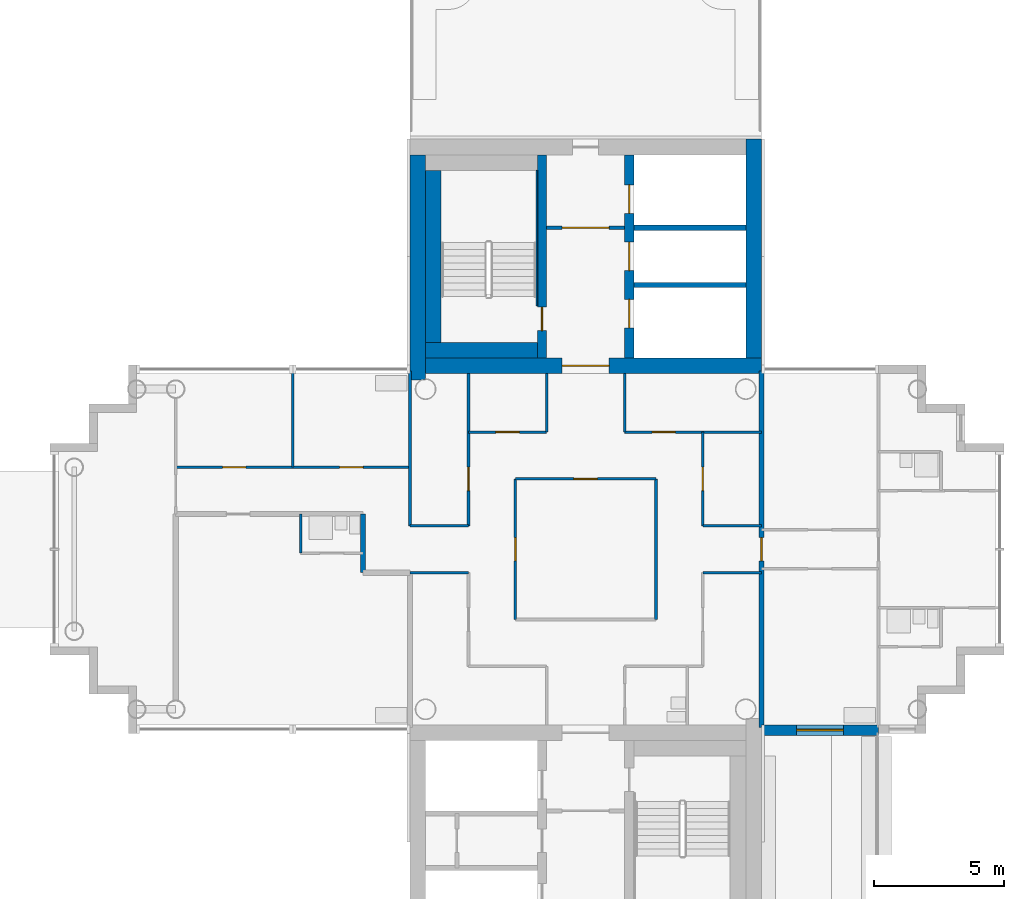
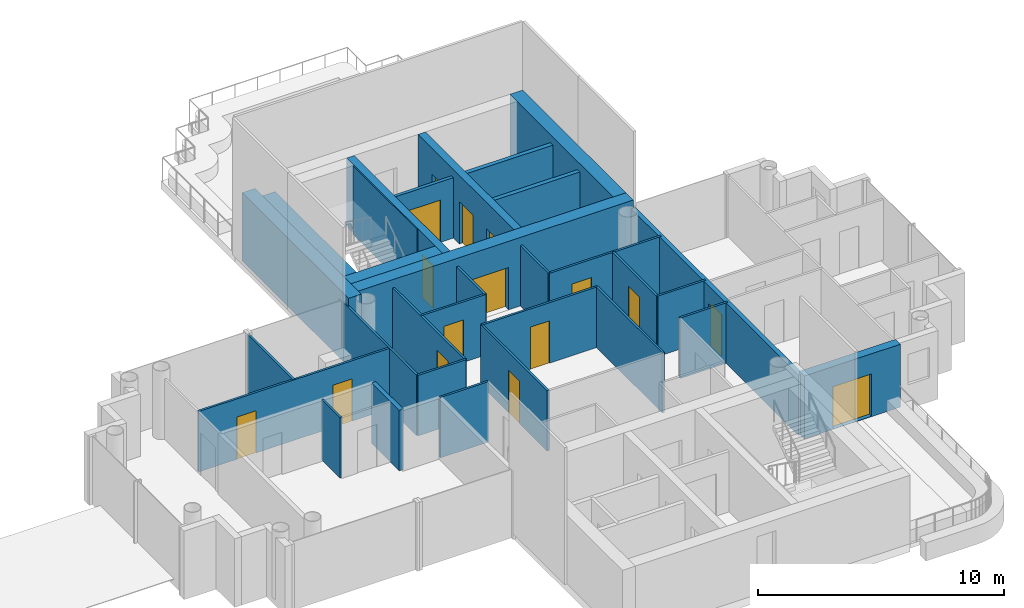
# One storey, part 11 of 19: 31 walls, 16 doors, 16 openings.
"""IFC4 building model written with IfcOpenShell, lengths in metres."""

from ifc_helpers import new_model, si_unit, direction, frame, frame_2d, origin, place, context, subcontext, project, spatial, rectangle, extrude, material, layer, layer_set, type_object, element, fill, save


model = new_model("IFC4")

# Units and contexts
model_context = context("Model", 3, precision=1e-05, world=origin(), true_north=direction((0.0, 1.0)))
body_context = subcontext(model_context, "Body", "Model", "MODEL_VIEW")
ifc_project = project(units=[si_unit("LENGTHUNIT", "METRE"), si_unit("AREAUNIT", "SQUARE_METRE"), si_unit("VOLUMEUNIT", "CUBIC_METRE"), si_unit("PLANEANGLEUNIT", "RADIAN"), si_unit("MASSUNIT", "GRAM", prefix="KILO")], contexts=[model_context])

# Site, building, storey
site_placement = place(None, origin())
site = spatial("IfcSite", under=ifc_project, at=site_placement, CompositionType="ELEMENT")
building_placement = place(site_placement, origin())
building = spatial("IfcBuilding", under=site, at=building_placement, Name="Ipe Terrace Towers", CompositionType="ELEMENT")
storey_placement = place(building_placement, frame((0.0, 0.0, 185.800048828125)))
storey = spatial("IfcBuildingStorey", under=building, at=storey_placement, Name="L51", CompositionType="ELEMENT", Elevation=185.800048828125)

# Wall, opening, door
ifc_material_1 = material(Name="Concrete C40/50 with buff precast cladding", Category="concrete")
ifc_layer_1 = layer(ifc_material_1, 0.39990234375)
ifc_layer_set_1 = layer_set([ifc_layer_1], Name="BALCONY BAY WALL 400")
wall_type_1 = type_object("IfcWallType", Name="BALCONY BAY WALL 400", PredefinedType="STANDARD", material=ifc_layer_set_1)
wall_1_placement = place(storey_placement, frame((42.75, -6.949951171875, -0.02001953125), z_axis=(0.0, 0.0, 1.0), x_axis=(1.0, 0.0, 0.0)))
wall_1 = element("IfcWall", 1, at=wall_1_placement, inside=storey, type_object=wall_type_1, Name="T2-W-L51-02a wall", PredefinedType="STANDARD", context=body_context, shape_type="SweptSolid", body=[
    extrude(rectangle(XDim=4.5, YDim=0.39990234375, at=frame_2d((2.25, 0.0))), origin(), (0.0, 0.0, 1.0), 3.119873046875),
])
opening_1_placement = place(wall_1_placement, frame((1.35009765625, 0.0, 0.02001953125)))
opening_1 = element("IfcOpeningElement", 2, at=opening_1_placement, cuts=wall_1, Name="Opening T2-D-L51-02", PredefinedType="OPENING", context=body_context, shape_type="SweptSolid", body=[
    extrude(rectangle(XDim=1.800048828125, YDim=2.10009765625, at=frame_2d((0.89990234375, 1.050048828125))), frame((0.0, 0.2099609375, 0.0), z_axis=(0.0, -1.0, 0.0), x_axis=(1.0, 0.0, 0.0)), (0.0, 0.0, 1.0), 0.419921875),
])
ifc_material_2 = material(Name="Aluminium alloy 6063-T6 framed glazed door", Category="aluminium")
door_type_1 = type_object("IfcDoorType", Name="BALCONY DOOR 1800 x 2100 RIGHT", OperationType="SINGLE_SWING_RIGHT", PredefinedType="DOOR", material=ifc_material_2)
door_1_placement = place(opening_1_placement, origin())
door_1 = element("IfcDoor", 3, at=door_1_placement, inside=storey, type_object=door_type_1, Name="DB2 door", OperationType="SINGLE_SWING_RIGHT", OverallHeight=2.10009765625, OverallWidth=1.800048828125, PredefinedType="DOOR", context=body_context, shape_type="SweptSolid", body=[
    extrude(rectangle(XDim=1.800048828125, YDim=2.10009765625, at=frame_2d((0.89990234375, 1.050048828125))), frame((0.0, 0.02490234375, 0.0), z_axis=(0.0, -1.0, 0.0), x_axis=(1.0, 0.0, 0.0)), (0.0, 0.0, 1.0), 0.050048828125),
])
fill(opening_1, door_1)

# Walls
ifc_material_3 = material(Name="Gypsum board partition", Category="plasterboard")
ifc_layer_2 = layer(ifc_material_3, 0.10009765625)
ifc_layer_set_2 = layer_set([ifc_layer_2], Name="Gypsum board partition 100 mm")
wall_type_2 = type_object("IfcWallType", Name="Gypsum board partition 100 mm", PredefinedType="PARTITIONING", material=ifc_layer_set_2)
for number, where, z_axis, x_axis, name in (
    (4, (42.75, -0.89990234375, 0.0), (0.0, 0.0, 1.0), (-1.0, 0.0, 0.0), "Gypsum board partition T2 L51 W06"),
    (5, (31.5, -0.89990234375, 0.0), (0.0, 0.0, 1.0), (-1.0, 0.0, 0.0), "Gypsum board partition T2 L51 W07"),
    (6, (42.75, 0.89990234375, 0.0), (0.0, 0.0, 1.0), (-1.0, 0.0, 0.0), "Gypsum board partition T2 L51 W12"),
    (7, (31.5, 0.89990234375, 0.0), (0.0, 0.0, 1.0), (-1.0, 0.0, 0.0), "Gypsum board partition T2 L51 W13"),
):
    element("IfcWall", number, at=place(storey_placement, frame(where, z_axis=z_axis, x_axis=x_axis)), inside=storey, type_object=wall_type_2, Name=name, PredefinedType="PARTITIONING", context=body_context, shape_type="SweptSolid", body=[
        extrude(rectangle(XDim=2.25, YDim=0.10009765625, at=frame_2d((1.125, 0.0))), origin(), (0.0, 0.0, 1.0), 3.0),
    ])

# Wall, opening, door
wall_2_placement = place(storey_placement, frame((38.699951171875, 2.699951171875, 0.0), z_axis=(0.0, 0.0, 1.0), x_axis=(-1.0, 0.0, 0.0)))
wall_2 = element("IfcWall", 8, at=wall_2_placement, inside=storey, type_object=wall_type_2, Name="Gypsum board partition T2 L51 W16", PredefinedType="PARTITIONING", context=body_context, shape_type="SweptSolid", body=[
    extrude(rectangle(XDim=5.39990234375, YDim=0.10009765625, at=frame_2d((2.699951171875, 0.0))), origin(), (0.0, 0.0, 1.0), 3.0),
])
opening_2_placement = place(wall_2_placement, frame((2.25, 0.0, 0.0)))
opening_2 = element("IfcOpeningElement", 9, at=opening_2_placement, cuts=wall_2, Name="Opening T2-Z4C-02", PredefinedType="OPENING", context=body_context, shape_type="SweptSolid", body=[
    extrude(rectangle(XDim=0.89990234375, YDim=2.10009765625, at=frame_2d((0.449951171875, 1.050048828125))), frame((0.0, 0.06005859375, 0.0), z_axis=(0.0, -1.0, 0.0), x_axis=(1.0, 0.0, 0.0)), (0.0, 0.0, 1.0), 0.1201171875),
])
ifc_material_4 = material(Name="Timber door leaf", Category="wood")
door_type_2 = type_object("IfcDoorType", Name="Lounge door 900 x 2100", OperationType="NOTDEFINED", PredefinedType="DOOR", material=ifc_material_4)
door_2_placement = place(opening_2_placement, origin())
door_2 = element("IfcDoor", 10, at=door_2_placement, inside=storey, type_object=door_type_2, Name="Lounge door T2-Z4C-02", OperationType="SINGLE_SWING_LEFT", OverallHeight=2.10009765625, OverallWidth=0.89990234375, PredefinedType="DOOR", context=body_context, shape_type="SweptSolid", body=[
    extrude(rectangle(XDim=0.89990234375, YDim=2.10009765625, at=frame_2d((0.449951171875, 1.050048828125))), frame((0.0, 0.02490234375, 0.0), z_axis=(0.0, -1.0, 0.0), x_axis=(1.0, 0.0, 0.0)), (0.0, 0.0, 1.0), 0.050048828125),
])
fill(opening_2, door_2)

# Wall, openings, doors
wall_3_placement = place(storey_placement, frame((29.25, 3.14990234375, 0.0), z_axis=(0.0, 0.0, 1.0), x_axis=(-1.0, 0.0, 0.0)))
wall_3 = element("IfcWall", 11, at=wall_3_placement, inside=storey, type_object=wall_type_2, Name="Gypsum board partition T2 L51 W17", PredefinedType="PARTITIONING", context=body_context, shape_type="SweptSolid", body=[
    extrude(rectangle(XDim=9.0, YDim=0.10009765625, at=frame_2d((4.5, 0.0))), origin(), (0.0, 0.0, 1.0), 3.0),
])
opening_3_placement = place(wall_3_placement, frame((1.800048828125, 0.0, 0.0)))
opening_3 = element("IfcOpeningElement", 12, at=opening_3_placement, cuts=wall_3, Name="Opening T2-Z4C-12", PredefinedType="OPENING", context=body_context, shape_type="SweptSolid", body=[
    extrude(rectangle(XDim=0.89990234375, YDim=2.10009765625, at=frame_2d((0.449951171875, 1.050048828125))), frame((0.0, 0.06005859375, 0.0), z_axis=(0.0, -1.0, 0.0), x_axis=(1.0, 0.0, 0.0)), (0.0, 0.0, 1.0), 0.1201171875),
])
opening_4_placement = place(wall_3_placement, frame((6.300048828125, 0.0, 0.0)))
opening_4 = element("IfcOpeningElement", 13, at=opening_4_placement, cuts=wall_3, Name="Opening T2-Z4C-13", PredefinedType="OPENING", context=body_context, shape_type="SweptSolid", body=[
    extrude(rectangle(XDim=0.89990234375, YDim=2.10009765625, at=frame_2d((0.449951171875, 1.050048828125))), frame((0.0, 0.06005859375, 0.0), z_axis=(0.0, -1.0, 0.0), x_axis=(1.0, 0.0, 0.0)), (0.0, 0.0, 1.0), 0.1201171875),
])
door_3_placement = place(opening_3_placement, origin())
door_3 = element("IfcDoor", 14, at=door_3_placement, inside=storey, type_object=door_type_2, Name="Lounge door T2-Z4C-12", OperationType="SINGLE_SWING_LEFT", OverallHeight=2.10009765625, OverallWidth=0.89990234375, PredefinedType="DOOR", context=body_context, shape_type="SweptSolid", body=[
    extrude(rectangle(XDim=0.89990234375, YDim=2.10009765625, at=frame_2d((0.449951171875, 1.050048828125))), frame((0.0, 0.02490234375, 0.0), z_axis=(0.0, -1.0, 0.0), x_axis=(1.0, 0.0, 0.0)), (0.0, 0.0, 1.0), 0.050048828125),
])
fill(opening_3, door_3)
door_4_placement = place(opening_4_placement, origin())
door_4 = element("IfcDoor", 15, at=door_4_placement, inside=storey, type_object=door_type_2, Name="Lounge door T2-Z4C-13", OperationType="SINGLE_SWING_RIGHT", OverallHeight=2.10009765625, OverallWidth=0.89990234375, PredefinedType="DOOR", context=body_context, shape_type="SweptSolid", body=[
    extrude(rectangle(XDim=0.89990234375, YDim=2.10009765625, at=frame_2d((0.449951171875, 1.050048828125))), frame((0.0, 0.02490234375, 0.0), z_axis=(0.0, -1.0, 0.0), x_axis=(1.0, 0.0, 0.0)), (0.0, 0.0, 1.0), 0.050048828125),
])
fill(opening_4, door_4)

# Wall, opening, door
wall_4_placement = place(storey_placement, frame((42.75, 4.5, 0.0), z_axis=(0.0, 0.0, 1.0), x_axis=(-1.0, 0.0, 0.0)))
wall_4 = element("IfcWall", 16, at=wall_4_placement, inside=storey, type_object=wall_type_2, Name="Gypsum board partition T2 L51 W19", PredefinedType="PARTITIONING", context=body_context, shape_type="SweptSolid", body=[
    extrude(rectangle(XDim=5.25, YDim=0.10009765625, at=frame_2d((2.625, 0.0))), origin(), (0.0, 0.0, 1.0), 3.0),
])
opening_5_placement = place(wall_4_placement, frame((3.300048828125, 0.0, 0.0)))
opening_5 = element("IfcOpeningElement", 17, at=opening_5_placement, cuts=wall_4, Name="Opening T2-Z4C-09", PredefinedType="OPENING", context=body_context, shape_type="SweptSolid", body=[
    extrude(rectangle(XDim=0.89990234375, YDim=2.10009765625, at=frame_2d((0.449951171875, 1.050048828125))), frame((0.0, 0.06005859375, 0.0), z_axis=(0.0, -1.0, 0.0), x_axis=(1.0, 0.0, 0.0)), (0.0, 0.0, 1.0), 0.1201171875),
])
door_5_placement = place(opening_5_placement, origin())
door_5 = element("IfcDoor", 18, at=door_5_placement, inside=storey, type_object=door_type_2, Name="Lounge door T2-Z4C-09", OperationType="SINGLE_SWING_RIGHT", OverallHeight=2.10009765625, OverallWidth=0.89990234375, PredefinedType="DOOR", context=body_context, shape_type="SweptSolid", body=[
    extrude(rectangle(XDim=0.89990234375, YDim=2.10009765625, at=frame_2d((0.449951171875, 1.050048828125))), frame((0.0, 0.02490234375, 0.0), z_axis=(0.0, -1.0, 0.0), x_axis=(1.0, 0.0, 0.0)), (0.0, 0.0, 1.0), 0.050048828125),
])
fill(opening_5, door_5)

wall_5_placement = place(storey_placement, frame((34.5, 4.5, 0.0), z_axis=(0.0, 0.0, 1.0), x_axis=(-1.0, 0.0, 0.0)))
wall_5 = element("IfcWall", 19, at=wall_5_placement, inside=storey, type_object=wall_type_2, Name="Gypsum board partition T2 L51 W20", PredefinedType="PARTITIONING", context=body_context, shape_type="SweptSolid", body=[
    extrude(rectangle(XDim=3.0, YDim=0.10009765625, at=frame_2d((1.5, 0.0))), origin(), (0.0, 0.0, 1.0), 3.0),
])
opening_6_placement = place(wall_5_placement, frame((1.050048828125, 0.0, 0.0)))
opening_6 = element("IfcOpeningElement", 20, at=opening_6_placement, cuts=wall_5, Name="Opening T2-Z4C-05", PredefinedType="OPENING", context=body_context, shape_type="SweptSolid", body=[
    extrude(rectangle(XDim=0.89990234375, YDim=2.10009765625, at=frame_2d((0.449951171875, 1.050048828125))), frame((0.0, 0.06005859375, 0.0), z_axis=(0.0, -1.0, 0.0), x_axis=(1.0, 0.0, 0.0)), (0.0, 0.0, 1.0), 0.1201171875),
])
door_6_placement = place(opening_6_placement, origin())
door_6 = element("IfcDoor", 21, at=door_6_placement, inside=storey, type_object=door_type_2, Name="Lounge door T2-Z4C-05", OperationType="SINGLE_SWING_RIGHT", OverallHeight=2.10009765625, OverallWidth=0.89990234375, PredefinedType="DOOR", context=body_context, shape_type="SweptSolid", body=[
    extrude(rectangle(XDim=0.89990234375, YDim=2.10009765625, at=frame_2d((0.449951171875, 1.050048828125))), frame((0.0, 0.02490234375, 0.0), z_axis=(0.0, -1.0, 0.0), x_axis=(1.0, 0.0, 0.0)), (0.0, 0.0, 1.0), 0.050048828125),
])
fill(opening_6, door_6)

wall_6_placement = place(storey_placement, frame((40.5, 0.89990234375, 0.0), z_axis=(0.0, 0.0, 1.0), x_axis=(0.0, 1.0, 0.0)))
wall_6 = element("IfcWall", 22, at=wall_6_placement, inside=storey, type_object=wall_type_2, Name="Gypsum board partition T2 L51 W26", PredefinedType="PARTITIONING", context=body_context, shape_type="SweptSolid", body=[
    extrude(rectangle(XDim=3.60009765625, YDim=0.10009765625, at=frame_2d((1.800048828125, 0.0))), origin(), (0.0, 0.0, 1.0), 3.0),
])
opening_7_placement = place(wall_6_placement, frame((1.35009765625, 0.0, 0.0)))
opening_7 = element("IfcOpeningElement", 23, at=opening_7_placement, cuts=wall_6, Name="Opening T2-Z4C-08", PredefinedType="OPENING", context=body_context, shape_type="SweptSolid", body=[
    extrude(rectangle(XDim=0.89990234375, YDim=2.10009765625, at=frame_2d((0.449951171875, 1.050048828125))), frame((0.0, 0.06005859375, 0.0), z_axis=(0.0, -1.0, 0.0), x_axis=(1.0, 0.0, 0.0)), (0.0, 0.0, 1.0), 0.1201171875),
])
door_7_placement = place(opening_7_placement, origin())
door_7 = element("IfcDoor", 24, at=door_7_placement, inside=storey, type_object=door_type_2, Name="Lounge door T2-Z4C-08", OperationType="SINGLE_SWING_RIGHT", OverallHeight=2.10009765625, OverallWidth=0.89990234375, PredefinedType="DOOR", context=body_context, shape_type="SweptSolid", body=[
    extrude(rectangle(XDim=0.89990234375, YDim=2.10009765625, at=frame_2d((0.449951171875, 1.050048828125))), frame((0.0, 0.02490234375, 0.0), z_axis=(0.0, -1.0, 0.0), x_axis=(1.0, 0.0, 0.0)), (0.0, 0.0, 1.0), 0.050048828125),
])
fill(opening_7, door_7)

# Walls
wall_7_placement = place(storey_placement, frame((38.699951171875, -2.699951171875, 0.0), z_axis=(0.0, 0.0, 1.0), x_axis=(0.0, 1.0, 0.0)))
element("IfcWall", 25, at=wall_7_placement, inside=storey, type_object=wall_type_2, Name="Gypsum board partition T2 L51 W28", PredefinedType="PARTITIONING", context=body_context, shape_type="SweptSolid", body=[
    extrude(rectangle(XDim=5.39990234375, YDim=0.10009765625, at=frame_2d((2.699951171875, 0.0))), origin(), (0.0, 0.0, 1.0), 3.0),
])
for number, where, z_axis, x_axis, name in (
    (26, (37.5, 4.5, 0.0), (0.0, 0.0, 1.0), (0.0, 1.0, 0.0), "Gypsum board partition T2 L51 W30"),
    (27, (34.5, 4.5, 0.0), (0.0, 0.0, 1.0), (0.0, 1.0, 0.0), "Gypsum board partition T2 L51 W32"),
):
    element("IfcWall", number, at=place(storey_placement, frame(where, z_axis=z_axis, x_axis=x_axis)), inside=storey, type_object=wall_type_2, Name=name, PredefinedType="PARTITIONING", context=body_context, shape_type="SweptSolid", body=[
        extrude(rectangle(XDim=2.25, YDim=0.10009765625, at=frame_2d((1.125, 0.0))), origin(), (0.0, 0.0, 1.0), 3.0),
    ])

# Wall, opening, door
wall_8_placement = place(storey_placement, frame((33.300048828125, -2.699951171875, 0.0), z_axis=(0.0, 0.0, 1.0), x_axis=(0.0, 1.0, 0.0)))
wall_8 = element("IfcWall", 28, at=wall_8_placement, inside=storey, type_object=wall_type_2, Name="Gypsum board partition T2 L51 W33", PredefinedType="PARTITIONING", context=body_context, shape_type="SweptSolid", body=[
    extrude(rectangle(XDim=5.39990234375, YDim=0.10009765625, at=frame_2d((2.699951171875, 0.0))), origin(), (0.0, 0.0, 1.0), 3.0),
])
opening_8_placement = place(wall_8_placement, frame((2.25, 0.0, 0.0)))
opening_8 = element("IfcOpeningElement", 29, at=opening_8_placement, cuts=wall_8, Name="Opening T2-Z4C-01", PredefinedType="OPENING", context=body_context, shape_type="SweptSolid", body=[
    extrude(rectangle(XDim=0.89990234375, YDim=2.10009765625, at=frame_2d((0.449951171875, 1.050048828125))), frame((0.0, 0.06005859375, 0.0), z_axis=(0.0, -1.0, 0.0), x_axis=(1.0, 0.0, 0.0)), (0.0, 0.0, 1.0), 0.1201171875),
])
door_8_placement = place(opening_8_placement, origin())
door_8 = element("IfcDoor", 30, at=door_8_placement, inside=storey, type_object=door_type_2, Name="Lounge door T2-Z4C-01", OperationType="SINGLE_SWING_RIGHT", OverallHeight=2.10009765625, OverallWidth=0.89990234375, PredefinedType="DOOR", context=body_context, shape_type="SweptSolid", body=[
    extrude(rectangle(XDim=0.89990234375, YDim=2.10009765625, at=frame_2d((0.449951171875, 1.050048828125))), frame((0.0, 0.02490234375, 0.0), z_axis=(0.0, -1.0, 0.0), x_axis=(1.0, 0.0, 0.0)), (0.0, 0.0, 1.0), 0.050048828125),
])
fill(opening_8, door_8)

wall_9_placement = place(storey_placement, frame((31.5, 0.89990234375, 0.0), z_axis=(0.0, 0.0, 1.0), x_axis=(0.0, 1.0, 0.0)))
wall_9 = element("IfcWall", 31, at=wall_9_placement, inside=storey, type_object=wall_type_2, Name="Gypsum board partition T2 L51 W35", PredefinedType="PARTITIONING", context=body_context, shape_type="SweptSolid", body=[
    extrude(rectangle(XDim=5.85009765625, YDim=0.10009765625, at=frame_2d((2.925048828125, 0.0))), origin(), (0.0, 0.0, 1.0), 3.0),
])
opening_9_placement = place(wall_9_placement, frame((1.35009765625, 0.0, 0.0)))
opening_9 = element("IfcOpeningElement", 32, at=opening_9_placement, cuts=wall_9, Name="Opening T2-Z4C-04", PredefinedType="OPENING", context=body_context, shape_type="SweptSolid", body=[
    extrude(rectangle(XDim=0.89990234375, YDim=2.10009765625, at=frame_2d((0.449951171875, 1.050048828125))), frame((0.0, 0.06005859375, 0.0), z_axis=(0.0, -1.0, 0.0), x_axis=(1.0, 0.0, 0.0)), (0.0, 0.0, 1.0), 0.1201171875),
])
door_9_placement = place(opening_9_placement, origin())
door_9 = element("IfcDoor", 33, at=door_9_placement, inside=storey, type_object=door_type_2, Name="Lounge door T2-Z4C-04", OperationType="SINGLE_SWING_RIGHT", OverallHeight=2.10009765625, OverallWidth=0.89990234375, PredefinedType="DOOR", context=body_context, shape_type="SweptSolid", body=[
    extrude(rectangle(XDim=0.89990234375, YDim=2.10009765625, at=frame_2d((0.449951171875, 1.050048828125))), frame((0.0, 0.02490234375, 0.0), z_axis=(0.0, -1.0, 0.0), x_axis=(1.0, 0.0, 0.0)), (0.0, 0.0, 1.0), 0.050048828125),
])
fill(opening_9, door_9)

# Walls
wall_10_placement = place(storey_placement, frame((29.25, 0.89990234375, 0.0), z_axis=(0.0, 0.0, 1.0), x_axis=(0.0, 1.0, 0.0)))
element("IfcWall", 34, at=wall_10_placement, inside=storey, type_object=wall_type_2, Name="Gypsum board partition T2 L51 W36", PredefinedType="PARTITIONING", context=body_context, shape_type="SweptSolid", body=[
    extrude(rectangle(XDim=5.9501953125, YDim=0.10009765625, at=frame_2d((2.97509765625, 0.0))), origin(), (0.0, 0.0, 1.0), 3.0),
])
wall_11_placement = place(storey_placement, frame((25.050048828125, -0.14990234375, 0.0), z_axis=(0.0, 0.0, 1.0), x_axis=(0.0, 1.0, 0.0)))
element("IfcWall", 35, at=wall_11_placement, inside=storey, type_object=wall_type_2, Name="Gypsum board partition T2 L51 W39", PredefinedType="PARTITIONING", context=body_context, shape_type="SweptSolid", body=[
    extrude(rectangle(XDim=1.5, YDim=0.10009765625, at=frame_2d((0.75, 0.0))), origin(), (0.0, 0.0, 1.0), 3.0),
])
wall_12_placement = place(storey_placement, frame((24.75, 3.14990234375, 0.0), z_axis=(0.0, 0.0, 1.0), x_axis=(0.0, 1.0, 0.0)))
element("IfcWall", 36, at=wall_12_placement, inside=storey, type_object=wall_type_2, Name="Gypsum board partition T2 L51 W40", PredefinedType="PARTITIONING", context=body_context, shape_type="SweptSolid", body=[
    extrude(rectangle(XDim=3.7001953125, YDim=0.10009765625, at=frame_2d((1.85009765625, 0.0))), origin(), (0.0, 0.0, 1.0), 3.0),
])

# Wall, opening, door
ifc_material_5 = material(Name="Gypsum board partition", Category="plasterboard")
ifc_layer_3 = layer(ifc_material_5, 0.14990234375)
ifc_layer_set_3 = layer_set([ifc_layer_3], Name="Gypsum board partition 150 mm")
wall_type_3 = type_object("IfcWallType", Name="Gypsum board partition 150 mm", PredefinedType="PARTITIONING", material=ifc_layer_set_3)
wall_13_placement = place(storey_placement, frame((37.5, 12.35009765625, 0.0), z_axis=(0.0, 0.0, 1.0), x_axis=(-1.0, 0.0, 0.0)))
wall_13 = element("IfcWall", 37, at=wall_13_placement, inside=storey, type_object=wall_type_3, Name="Gypsum board partition T2 L51 t2c1-lobby-wall", PredefinedType="PARTITIONING", context=body_context, shape_type="SweptSolid", body=[
    extrude(rectangle(XDim=3.0, YDim=0.14990234375, at=frame_2d((1.5, 0.0))), origin(), (0.0, 0.0, 1.0), 3.0),
])
opening_10_placement = place(wall_13_placement, frame((0.60009765625, 0.0, 0.0)))
opening_10 = element("IfcOpeningElement", 38, at=opening_10_placement, cuts=wall_13, Name="Opening T2C1-VD", PredefinedType="OPENING", context=body_context, shape_type="SweptSolid", body=[
    extrude(rectangle(XDim=1.800048828125, YDim=2.10009765625, at=frame_2d((0.89990234375, 1.050048828125))), frame((0.0, 0.0849609375, 0.0), z_axis=(0.0, -1.0, 0.0), x_axis=(1.0, 0.0, 0.0)), (0.0, 0.0, 1.0), 0.169921875),
])
ifc_material_6 = material(Name="Fire-rated timber door leaf", Category="wood")
door_type_3 = type_object("IfcDoorType", Name="Lobby door 1800 x 2100 FD60", OperationType="NOTDEFINED", PredefinedType="DOOR", material=ifc_material_6)
door_10_placement = place(opening_10_placement, origin())
door_10 = element("IfcDoor", 39, at=door_10_placement, inside=storey, type_object=door_type_3, Name="Lobby door T2C1-VD", OperationType="SINGLE_SWING_LEFT", OverallHeight=2.10009765625, OverallWidth=1.800048828125, PredefinedType="DOOR", context=body_context, shape_type="SweptSolid", body=[
    extrude(rectangle(XDim=1.800048828125, YDim=2.10009765625, at=frame_2d((0.89990234375, 1.050048828125))), frame((0.0, 0.02490234375, 0.0), z_axis=(0.0, -1.0, 0.0), x_axis=(1.0, 0.0, 0.0)), (0.0, 0.0, 1.0), 0.050048828125),
])
fill(opening_10, door_10)

# Walls
ifc_material_7 = material(Name="Gypsum board party wall", Category="plasterboard")
ifc_layer_4 = layer(ifc_material_7, 0.199951171875)
ifc_layer_set_4 = layer_set([ifc_layer_4], Name="Gypsum board party wall 200 mm")
wall_type_4 = type_object("IfcWallType", Name="Gypsum board party wall 200 mm", PredefinedType="SOLIDWALL", material=ifc_layer_set_4)
for number, where, z_axis, x_axis, name in (
    (40, (42.14990234375, 10.14990234375, 0.0), (0.0, 0.0, 1.0), (-1.0, 0.0, 0.0), "Gypsum board party wall T2 L51 t2c1-shaft-div1"),
    (41, (42.14990234375, 12.35009765625, 0.0), (0.0, 0.0, 1.0), (-1.0, 0.0, 0.0), "Gypsum board party wall T2 L51 t2c1-shaft-div2"),
):
    element("IfcWall", number, at=place(storey_placement, frame(where, z_axis=z_axis, x_axis=x_axis)), inside=storey, type_object=wall_type_4, Name=name, PredefinedType="SOLIDWALL", context=body_context, shape_type="SweptSolid", body=[
        extrude(rectangle(XDim=4.2998046875, YDim=0.199951171875, at=frame_2d((2.14990234375, 0.0))), origin(), (0.0, 0.0, 1.0), 3.0),
    ])

# Wall, opening, door
wall_14_placement = place(storey_placement, frame((42.75, -6.85009765625, 0.0), z_axis=(0.0, 0.0, 1.0), x_axis=(0.0, 1.0, 0.0)))
wall_14 = element("IfcWall", 42, at=wall_14_placement, inside=storey, type_object=wall_type_4, Name="Gypsum board party wall T2 L51 W24", PredefinedType="SOLIDWALL", context=body_context, shape_type="SweptSolid", body=[
    extrude(rectangle(XDim=13.7001953125, YDim=0.199951171875, at=frame_2d((6.85009765625, 0.0))), origin(), (0.0, 0.0, 1.0), 3.0),
])
opening_11_placement = place(wall_14_placement, frame((6.39990234375, 0.0, 0.0)))
opening_11 = element("IfcOpeningElement", 43, at=opening_11_placement, cuts=wall_14, Name="Opening T2-Z4C-17", PredefinedType="OPENING", context=body_context, shape_type="SweptSolid", body=[
    extrude(rectangle(XDim=0.89990234375, YDim=2.10009765625, at=frame_2d((0.449951171875, 1.050048828125))), frame((0.0, 0.10986328125, 0.0), z_axis=(0.0, -1.0, 0.0), x_axis=(1.0, 0.0, 0.0)), (0.0, 0.0, 1.0), 0.219970703125),
])
ifc_material_8 = material(Name="Fire-rated timber door leaf", Category="wood")
door_type_4 = type_object("IfcDoorType", Name="Flat entrance door 900 x 2100 FD30S", OperationType="NOTDEFINED", PredefinedType="DOOR", material=ifc_material_8)
door_11_placement = place(opening_11_placement, origin())
door_11 = element("IfcDoor", 44, at=door_11_placement, inside=storey, type_object=door_type_4, Name="Flat entrance door T2-Z4C-17", OperationType="SINGLE_SWING_RIGHT", OverallHeight=2.10009765625, OverallWidth=0.89990234375, PredefinedType="DOOR", context=body_context, shape_type="SweptSolid", body=[
    extrude(rectangle(XDim=0.89990234375, YDim=2.10009765625, at=frame_2d((0.449951171875, 1.050048828125))), frame((0.0, 0.02490234375, 0.0), z_axis=(0.0, -1.0, 0.0), x_axis=(1.0, 0.0, 0.0)), (0.0, 0.0, 1.0), 0.050048828125),
])
fill(opening_11, door_11)

# Wall
wall_15_placement = place(storey_placement, frame((27.449951171875, -0.89990234375, 0.0), z_axis=(0.0, 0.0, 1.0), x_axis=(0.0, 1.0, 0.0)))
element("IfcWall", 45, at=wall_15_placement, inside=storey, type_object=wall_type_4, Name="Gypsum board party wall T2 L51 W38", PredefinedType="SOLIDWALL", context=body_context, shape_type="SweptSolid", body=[
    extrude(rectangle(XDim=2.25, YDim=0.199951171875, at=frame_2d((1.125, 0.0))), origin(), (0.0, 0.0, 1.0), 3.0),
])

# Wall, opening, door
ifc_material_9 = material(Name="Concrete C40/50", Category="concrete")
ifc_layer_5 = layer(ifc_material_9, 0.35009765625)
ifc_layer_set_5 = layer_set([ifc_layer_5], Name="RW350 CORE SPINE WALL 350 C40-50")
wall_type_5 = type_object("IfcWallType", Name="RW350 CORE SPINE WALL 350 C40-50", PredefinedType="SHEAR", material=ifc_layer_set_5)
wall_16_placement = place(storey_placement, frame((34.324951171875, 7.35009765625, 0.0), z_axis=(0.0, 0.0, 1.0), x_axis=(0.0, 1.0, 0.0)))
wall_16 = element("IfcWall", 46, at=wall_16_placement, inside=storey, type_object=wall_type_5, Name="Core spine wall T2-C1-Z4-SW1", PredefinedType="SHEAR", context=body_context, shape_type="SweptSolid", body=[
    extrude(rectangle(XDim=7.7998046875, YDim=0.35009765625, at=frame_2d((3.89990234375, 0.0))), origin(), (0.0, 0.0, 1.0), 3.39990234375),
])
opening_12_placement = place(wall_16_placement, frame((1.050048828125, 0.0, 0.0)))
opening_12 = element("IfcOpeningElement", 47, at=opening_12_placement, cuts=wall_16, Name="Opening T2C1-SD", PredefinedType="OPENING", context=body_context, shape_type="SweptSolid", body=[
    extrude(rectangle(XDim=0.89990234375, YDim=2.10009765625, at=frame_2d((0.449951171875, 1.050048828125))), frame((0.0, 0.18505859375, 0.0), z_axis=(0.0, -1.0, 0.0), x_axis=(1.0, 0.0, 0.0)), (0.0, 0.0, 1.0), 0.3701171875),
])
ifc_material_10 = material(Name="Fire-rated timber door leaf", Category="wood")
door_type_5 = type_object("IfcDoorType", Name="Stair door 900 x 2100 FD60", OperationType="NOTDEFINED", PredefinedType="DOOR", material=ifc_material_10)
door_12_placement = place(opening_12_placement, origin())
door_12 = element("IfcDoor", 48, at=door_12_placement, inside=storey, type_object=door_type_5, Name="Stair door T2C1-SD", OperationType="SINGLE_SWING_LEFT", OverallHeight=2.10009765625, OverallWidth=0.89990234375, PredefinedType="DOOR", context=body_context, shape_type="SweptSolid", body=[
    extrude(rectangle(XDim=0.89990234375, YDim=2.10009765625, at=frame_2d((0.449951171875, 1.050048828125))), frame((0.0, 0.02490234375, 0.0), z_axis=(0.0, -1.0, 0.0), x_axis=(1.0, 0.0, 0.0)), (0.0, 0.0, 1.0), 0.050048828125),
])
fill(opening_12, door_12)

# Wall, openings, doors
wall_17_placement = place(storey_placement, frame((37.675048828125, 7.35009765625, 0.0), z_axis=(0.0, 0.0, 1.0), x_axis=(0.0, 1.0, 0.0)))
wall_17 = element("IfcWall", 49, at=wall_17_placement, inside=storey, type_object=wall_type_5, Name="Core spine wall T2-C1-Z4-SW2", PredefinedType="SHEAR", context=body_context, shape_type="SweptSolid", body=[
    extrude(rectangle(XDim=7.7998046875, YDim=0.35009765625, at=frame_2d((3.89990234375, 0.0))), origin(), (0.0, 0.0, 1.0), 3.39990234375),
])
opening_13_placement = place(wall_17_placement, frame((1.14990234375, 0.0, 0.0)))
opening_13 = element("IfcOpeningElement", 50, at=opening_13_placement, cuts=wall_17, Name="Opening T2C1-LD1", PredefinedType="OPENING", context=body_context, shape_type="SweptSolid", body=[
    extrude(rectangle(XDim=1.10009765625, YDim=2.10009765625, at=frame_2d((0.550048828125, 1.050048828125))), frame((0.0, 0.18505859375, 0.0), z_axis=(0.0, -1.0, 0.0), x_axis=(1.0, 0.0, 0.0)), (0.0, 0.0, 1.0), 0.3701171875),
])
opening_14_placement = place(wall_17_placement, frame((3.35009765625, 0.0, 0.0)))
opening_14 = element("IfcOpeningElement", 51, at=opening_14_placement, cuts=wall_17, Name="Opening T2C1-LD2", PredefinedType="OPENING", context=body_context, shape_type="SweptSolid", body=[
    extrude(rectangle(XDim=1.10009765625, YDim=2.10009765625, at=frame_2d((0.550048828125, 1.050048828125))), frame((0.0, 0.18505859375, 0.0), z_axis=(0.0, -1.0, 0.0), x_axis=(1.0, 0.0, 0.0)), (0.0, 0.0, 1.0), 0.3701171875),
])
opening_15_placement = place(wall_17_placement, frame((5.550048828125, 0.0, 0.0)))
opening_15 = element("IfcOpeningElement", 52, at=opening_15_placement, cuts=wall_17, Name="Opening T2C1-LD3", PredefinedType="OPENING", context=body_context, shape_type="SweptSolid", body=[
    extrude(rectangle(XDim=1.10009765625, YDim=2.10009765625, at=frame_2d((0.550048828125, 1.050048828125))), frame((0.0, 0.18505859375, 0.0), z_axis=(0.0, -1.0, 0.0), x_axis=(1.0, 0.0, 0.0)), (0.0, 0.0, 1.0), 0.3701171875),
])
ifc_material_11 = material(Name="Fire-rated timber door leaf", Category="wood")
door_type_6 = type_object("IfcDoorType", Name="Sliding door 1100 x 2100 FD60", OperationType="SLIDING_TO_LEFT", PredefinedType="DOOR", material=ifc_material_11)
door_13_placement = place(opening_13_placement, origin())
door_13 = element("IfcDoor", 53, at=door_13_placement, inside=storey, type_object=door_type_6, Name="Sliding door T2C1-LD1", OperationType="SLIDING_TO_LEFT", OverallHeight=2.10009765625, OverallWidth=1.10009765625, PredefinedType="DOOR", context=body_context, shape_type="SweptSolid", body=[
    extrude(rectangle(XDim=1.10009765625, YDim=2.10009765625, at=frame_2d((0.550048828125, 1.050048828125))), frame((0.0, 0.02490234375, 0.0), z_axis=(0.0, -1.0, 0.0), x_axis=(1.0, 0.0, 0.0)), (0.0, 0.0, 1.0), 0.050048828125),
])
fill(opening_13, door_13)
door_14_placement = place(opening_14_placement, origin())
door_14 = element("IfcDoor", 54, at=door_14_placement, inside=storey, type_object=door_type_6, Name="Sliding door T2C1-LD2", OperationType="SLIDING_TO_LEFT", OverallHeight=2.10009765625, OverallWidth=1.10009765625, PredefinedType="DOOR", context=body_context, shape_type="SweptSolid", body=[
    extrude(rectangle(XDim=1.10009765625, YDim=2.10009765625, at=frame_2d((0.550048828125, 1.050048828125))), frame((0.0, 0.02490234375, 0.0), z_axis=(0.0, -1.0, 0.0), x_axis=(1.0, 0.0, 0.0)), (0.0, 0.0, 1.0), 0.050048828125),
])
fill(opening_14, door_14)
door_15_placement = place(opening_15_placement, origin())
door_15 = element("IfcDoor", 55, at=door_15_placement, inside=storey, type_object=door_type_6, Name="Sliding door T2C1-LD3", OperationType="SLIDING_TO_LEFT", OverallHeight=2.10009765625, OverallWidth=1.10009765625, PredefinedType="DOOR", context=body_context, shape_type="SweptSolid", body=[
    extrude(rectangle(XDim=1.10009765625, YDim=2.10009765625, at=frame_2d((0.550048828125, 1.050048828125))), frame((0.0, 0.02490234375, 0.0), z_axis=(0.0, -1.0, 0.0), x_axis=(1.0, 0.0, 0.0)), (0.0, 0.0, 1.0), 0.050048828125),
])
fill(opening_15, door_15)

# Walls
ifc_material_12 = material(Name="Concrete C40/50", Category="concrete")
ifc_layer_6 = layer(ifc_material_12, 0.050048828125)
ifc_layer_set_6 = layer_set([ifc_layer_6], Name="RW50 CORE INFILL WALL 50 C40-50")
wall_type_6 = type_object("IfcWallType", Name="RW50 CORE INFILL WALL 50 C40-50", PredefinedType="SHEAR", material=ifc_layer_set_6)
wall_18_placement = place(storey_placement, frame((34.125, 9.35009765625, 0.0), z_axis=(0.0, 0.0, 1.0), x_axis=(0.0, 1.0, 0.0)))
element("IfcWall", 56, at=wall_18_placement, inside=storey, type_object=wall_type_6, Name="Core infill wall T2-C1-spine-b", PredefinedType="SHEAR", context=body_context, shape_type="SweptSolid", body=[
    extrude(rectangle(XDim=5.199951171875, YDim=0.050048828125, at=frame_2d((2.60009765625, 0.0))), origin(), (0.0, 0.0, 1.0), 3.39990234375),
])
ifc_material_13 = material(Name="Concrete C40/50", Category="concrete")
ifc_layer_7 = layer(ifc_material_13, 0.60009765625)
ifc_layer_set_7 = layer_set([ifc_layer_7], Name="RW600 CORE INFILL WALL 600 C40-50")
wall_type_7 = type_object("IfcWallType", Name="RW600 CORE INFILL WALL 600 C40-50", PredefinedType="SHEAR", material=ifc_layer_set_7)
wall_19_placement = place(storey_placement, frame((30.14990234375, 7.949951171875, 0.0), z_axis=(0.0, 0.0, 1.0), x_axis=(0.0, 1.0, 0.0)))
element("IfcWall", 57, at=wall_19_placement, inside=storey, type_object=wall_type_7, Name="Core infill wall T2-C1-back", PredefinedType="SHEAR", context=body_context, shape_type="SweptSolid", body=[
    extrude(rectangle(XDim=6.60009765625, YDim=0.60009765625, at=frame_2d((3.300048828125, 0.0))), origin(), (0.0, 0.0, 1.0), 3.39990234375),
])
wall_20_placement = place(storey_placement, frame((34.14990234375, 7.64990234375, 0.0), z_axis=(0.0, 0.0, 1.0), x_axis=(-1.0, 0.0, 0.0)))
element("IfcWall", 58, at=wall_20_placement, inside=storey, type_object=wall_type_7, Name="Core infill wall T2-C1-near", PredefinedType="SHEAR", context=body_context, shape_type="SweptSolid", body=[
    extrude(rectangle(XDim=4.2998046875, YDim=0.60009765625, at=frame_2d((2.14990234375, 0.0))), origin(), (0.0, 0.0, 1.0), 3.39990234375),
])

# Wall, opening, door
ifc_material_14 = material(Name="Concrete C40/50", Category="concrete")
ifc_layer_8 = layer(ifc_material_14, 0.60009765625)
ifc_layer_set_8 = layer_set([ifc_layer_8], Name="RW600 CORE WALL 600 C40-50")
wall_type_8 = type_object("IfcWallType", Name="RW600 CORE WALL 600 C40-50", PredefinedType="SHEAR", material=ifc_layer_set_8)
wall_21_placement = place(storey_placement, frame((29.85009765625, 7.050048828125, 0.0), z_axis=(0.0, 0.0, 1.0), x_axis=(1.0, 0.0, 0.0)))
wall_21 = element("IfcWall", 59, at=wall_21_placement, inside=storey, type_object=wall_type_8, Name="Core wall T2-C1-Z4-W01", PredefinedType="SHEAR", context=body_context, shape_type="SweptSolid", body=[
    extrude(rectangle(XDim=12.89990234375, YDim=0.60009765625, at=frame_2d((6.449951171875, 0.0))), origin(), (0.0, 0.0, 1.0), 3.39990234375),
])
opening_16_placement = place(wall_21_placement, frame((5.25, 0.0, 0.0)))
opening_16 = element("IfcOpeningElement", 60, at=opening_16_placement, cuts=wall_21, Name="Opening T2C1-ND", PredefinedType="OPENING", context=body_context, shape_type="SweptSolid", body=[
    extrude(rectangle(XDim=1.800048828125, YDim=2.10009765625, at=frame_2d((0.89990234375, 1.050048828125))), frame((0.0, 0.31005859375, 0.0), z_axis=(0.0, -1.0, 0.0), x_axis=(1.0, 0.0, 0.0)), (0.0, 0.0, 1.0), 0.6201171875),
])
ifc_material_15 = material(Name="Fire-rated timber door leaf", Category="wood")
door_type_7 = type_object("IfcDoorType", Name="Fire door 1800 x 2100 FD30S", OperationType="NOTDEFINED", PredefinedType="DOOR", material=ifc_material_15)
door_16_placement = place(opening_16_placement, origin())
door_16 = element("IfcDoor", 61, at=door_16_placement, inside=storey, type_object=door_type_7, Name="Fire door T2C1-ND", OperationType="SINGLE_SWING_LEFT", OverallHeight=2.10009765625, OverallWidth=1.800048828125, PredefinedType="DOOR", context=body_context, shape_type="SweptSolid", body=[
    extrude(rectangle(XDim=1.800048828125, YDim=2.10009765625, at=frame_2d((0.89990234375, 1.050048828125))), frame((0.0, 0.02490234375, 0.0), z_axis=(0.0, -1.0, 0.0), x_axis=(1.0, 0.0, 0.0)), (0.0, 0.0, 1.0), 0.050048828125),
])
fill(opening_16, door_16)

# Walls
wall_22_placement = place(storey_placement, frame((42.449951171875, 7.35009765625, 0.0), z_axis=(0.0, 0.0, 1.0), x_axis=(0.0, 1.0, 0.0)))
element("IfcWall", 62, at=wall_22_placement, inside=storey, type_object=wall_type_8, Name="Core wall T2-C1-Z4-W02", PredefinedType="SHEAR", context=body_context, shape_type="SweptSolid", body=[
    extrude(rectangle(XDim=8.39990234375, YDim=0.60009765625, at=frame_2d((4.199951171875, 0.0))), origin(), (0.0, 0.0, 1.0), 3.39990234375),
])
wall_23_placement = place(storey_placement, frame((29.550048828125, 15.14990234375, 0.0), z_axis=(0.0, 0.0, 1.0), x_axis=(0.0, -1.0, 0.0)))
element("IfcWall", 63, at=wall_23_placement, inside=storey, type_object=wall_type_8, Name="Core wall T2-C1-Z4-W04", PredefinedType="SHEAR", context=body_context, shape_type="SweptSolid", body=[
    extrude(rectangle(XDim=8.64794921875, YDim=0.60009765625, at=frame_2d((4.323974609375, 0.0))), origin(), (0.0, 0.0, 1.0), 3.39990234375),
])

save(model, "model.ifc")
